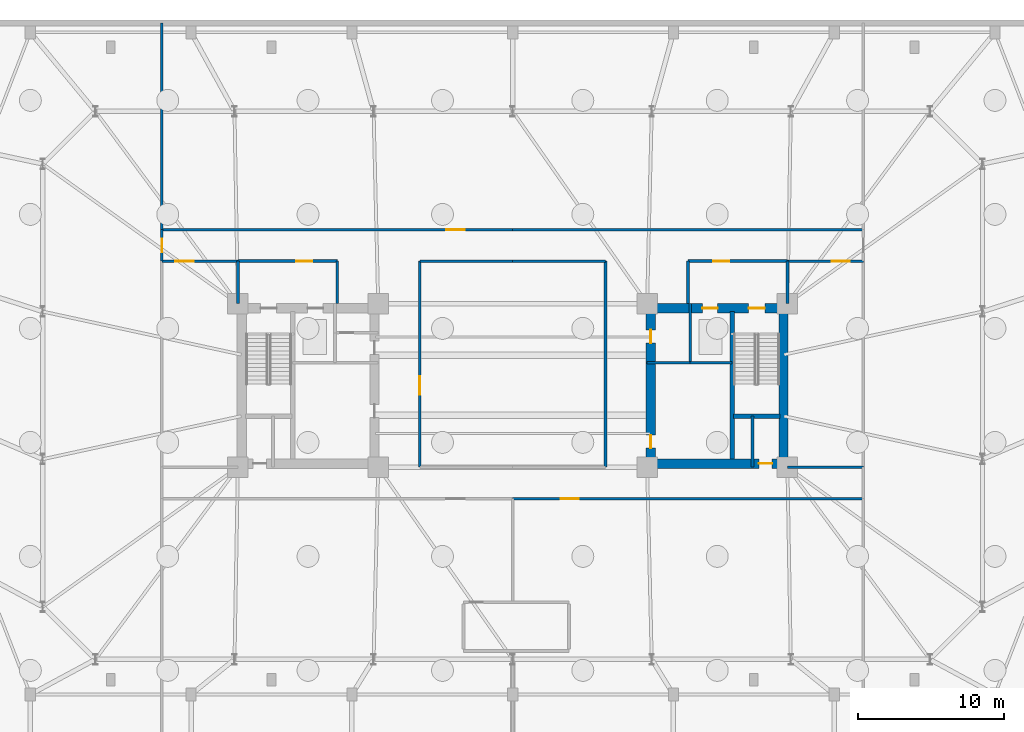
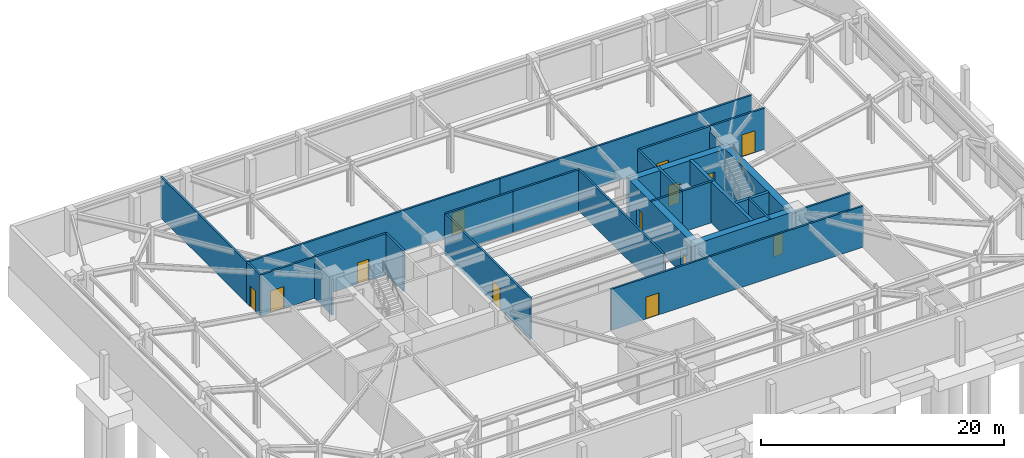
# One storey, part 10 of 15: 28 walls, 13 doors, 13 openings.
"""IFC4 building model written with IfcOpenShell, lengths in metres."""

from ifc_helpers import new_model, si_unit, direction, frame, frame_2d, origin, place, context, subcontext, project, spatial, rectangle, extrude, material, layer, layer_set, type_object, element, fill, save


model = new_model("IFC4")

# Units and contexts
model_context = context("Model", 3, precision=1e-05, world=origin(), true_north=direction((0.0, 1.0)))
body_context = subcontext(model_context, "Body", "Model", "MODEL_VIEW")
ifc_project = project(units=[si_unit("LENGTHUNIT", "METRE"), si_unit("AREAUNIT", "SQUARE_METRE"), si_unit("VOLUMEUNIT", "CUBIC_METRE"), si_unit("PLANEANGLEUNIT", "RADIAN"), si_unit("MASSUNIT", "GRAM", prefix="KILO")], contexts=[model_context])

# Site, building, storey
site_placement = place(None, origin())
site = spatial("IfcSite", under=ifc_project, at=site_placement, CompositionType="ELEMENT")
building_placement = place(site_placement, origin())
building = spatial("IfcBuilding", under=site, at=building_placement, Name="Qobustan Lattice House", CompositionType="ELEMENT")
storey_placement = place(building_placement, frame((0.0, 0.0, -9.0)))
storey = spatial("IfcBuildingStorey", under=building, at=storey_placement, Name="B02", CompositionType="ELEMENT", Elevation=-9.0)

# Wall, openings, doors
ifc_material_1 = material(Name="Concrete C60/75", Category="concrete")
ifc_layer_1 = layer(ifc_material_1, 0.639892578125)
ifc_layer_set_1 = layer_set([ifc_layer_1], Name="Concrete C60/75")
wall_type_1 = type_object("IfcWallType", Name="WAL-CORE-640", PredefinedType="SHEAR", material=ifc_layer_set_1)
wall_1_placement = place(storey_placement, frame((9.199951171875, 5.280029296875, 0.0), z_axis=(0.0, 0.0, 1.0), x_axis=(1.0, 0.0, 0.0)))
wall_1 = element("IfcWall", 1, at=wall_1_placement, inside=storey, type_object=wall_type_1, Name="B02 split-core shear wall CE-N", PredefinedType="SHEAR", context=body_context, shape_type="SweptSolid", body=[
    extrude(rectangle(XDim=9.60009765625, YDim=0.639892578125, at=frame_2d((4.800048828125, 0.0))), origin(), (0.0, 0.0, 1.0), 4.139892578125),
])
opening_1_placement = place(wall_1_placement, frame((6.949951171875, 0.0, 0.0)))
opening_1 = element("IfcOpeningElement", 2, at=opening_1_placement, cuts=wall_1, Name="Opening SD-01", PredefinedType="OPENING", context=body_context, shape_type="SweptSolid", body=[
    extrude(rectangle(XDim=1.10009765625, YDim=2.14990234375, at=frame_2d((0.550048828125, 1.074951171875))), frame((0.0, 0.329833984375, 0.0), z_axis=(0.0, -1.0, 0.0), x_axis=(1.0, 0.0, 0.0)), (0.0, 0.0, 1.0), 0.659912109375),
])
opening_2_placement = place(wall_1_placement, frame((3.77490234375, 0.0, 0.0)))
opening_2 = element("IfcOpeningElement", 3, at=opening_2_placement, cuts=wall_1, Name="Opening LD-01", PredefinedType="OPENING", context=body_context, shape_type="SweptSolid", body=[
    extrude(rectangle(XDim=1.050048828125, YDim=2.10009765625, at=frame_2d((0.52490234375, 1.050048828125))), frame((0.0, 0.329833984375, 0.0), z_axis=(0.0, -1.0, 0.0), x_axis=(1.0, 0.0, 0.0)), (0.0, 0.0, 1.0), 0.659912109375),
])
ifc_material_2 = material(Name="Persian walnut timber and steel frame door", Category="steel")
door_type_1 = type_object("IfcDoorType", Name="DOR-LIFT-LD-1050x2100", OperationType="NOTDEFINED", PredefinedType="DOOR", material=ifc_material_2)
door_1_placement = place(opening_2_placement, origin())
door_1 = element("IfcDoor", 4, at=door_1_placement, inside=storey, type_object=door_type_1, Name="B02 firefighting lift FF-E landing door", OperationType="DOUBLE_DOOR_SLIDING", OverallHeight=2.10009765625, OverallWidth=1.050048828125, PredefinedType="DOOR", context=body_context, shape_type="SweptSolid", body=[
    extrude(rectangle(XDim=1.050048828125, YDim=2.10009765625, at=frame_2d((0.52490234375, 1.050048828125))), frame((0.0, 0.02490234375, 0.0), z_axis=(0.0, -1.0, 0.0), x_axis=(1.0, 0.0, 0.0)), (0.0, 0.0, 1.0), 0.050048828125),
])
fill(opening_2, door_1)
ifc_material_3 = material(Name="Persian walnut timber and steel frame door", Category="steel")
door_type_2 = type_object("IfcDoorType", Name="DOR-STAIR-FD-1100x2150", OperationType="NOTDEFINED", PredefinedType="DOOR", material=ifc_material_3)
door_2_placement = place(opening_1_placement, origin())
door_2 = element("IfcDoor", 5, at=door_2_placement, inside=storey, type_object=door_type_2, Name="B02 exit stair ST-E1 fire door", OperationType="SINGLE_SWING_LEFT", OverallHeight=2.14990234375, OverallWidth=1.10009765625, PredefinedType="DOOR", context=body_context, shape_type="SweptSolid", body=[
    extrude(rectangle(XDim=1.10009765625, YDim=2.14990234375, at=frame_2d((0.550048828125, 1.074951171875))), frame((0.0, 0.02490234375, 0.0), z_axis=(0.0, -1.0, 0.0), x_axis=(1.0, 0.0, 0.0)), (0.0, 0.0, 1.0), 0.050048828125),
])
fill(opening_1, door_2)

# Wall, opening, door
wall_2_placement = place(storey_placement, frame((9.199951171875, -5.35009765625, 0.0), z_axis=(0.0, 0.0, 1.0), x_axis=(1.0, 0.0, 0.0)))
wall_2 = element("IfcWall", 6, at=wall_2_placement, inside=storey, type_object=wall_type_1, Name="B02 split-core shear wall CE-S", PredefinedType="SHEAR", context=body_context, shape_type="SweptSolid", body=[
    extrude(rectangle(XDim=9.60009765625, YDim=0.639892578125, at=frame_2d((4.800048828125, 0.0))), origin(), (0.0, 0.0, 1.0), 4.139892578125),
])
opening_3_placement = place(wall_2_placement, frame((7.64990234375, 0.0, 0.0)))
opening_3 = element("IfcOpeningElement", 7, at=opening_3_placement, cuts=wall_2, Name="Opening RD-01", PredefinedType="OPENING", context=body_context, shape_type="SweptSolid", body=[
    extrude(rectangle(XDim=0.89990234375, YDim=2.10009765625, at=frame_2d((0.449951171875, 1.050048828125))), frame((0.0, 0.329833984375, 0.0), z_axis=(0.0, -1.0, 0.0), x_axis=(1.0, 0.0, 0.0)), (0.0, 0.0, 1.0), 0.659912109375),
])
ifc_material_4 = material(Name="Persian walnut timber and steel frame door", Category="steel")
door_type_3 = type_object("IfcDoorType", Name="DOR-RISER-FD-900x2100", OperationType="NOTDEFINED", PredefinedType="DOOR", material=ifc_material_4)
door_3_placement = place(opening_3_placement, origin())
door_3 = element("IfcDoor", 8, at=door_3_placement, inside=storey, type_object=door_type_3, Name="B02 core service riser access door E", OperationType="SINGLE_SWING_LEFT", OverallHeight=2.10009765625, OverallWidth=0.89990234375, PredefinedType="DOOR", context=body_context, shape_type="SweptSolid", body=[
    extrude(rectangle(XDim=0.89990234375, YDim=2.10009765625, at=frame_2d((0.449951171875, 1.050048828125))), frame((0.0, 0.02490234375, 0.0), z_axis=(0.0, -1.0, 0.0), x_axis=(1.0, 0.0, 0.0)), (0.0, 0.0, 1.0), 0.050048828125),
])
fill(opening_3, door_3)

# Wall, openings, doors
wall_3_placement = place(storey_placement, frame((9.449951171875, -5.050048828125, 0.0), z_axis=(0.0, 0.0, 1.0), x_axis=(0.0, 1.0, 0.0)))
wall_3 = element("IfcWall", 9, at=wall_3_placement, inside=storey, type_object=wall_type_1, Name="B02 split-core shear wall CE-W", PredefinedType="SHEAR", context=body_context, shape_type="SweptSolid", body=[
    extrude(rectangle(XDim=10.10009765625, YDim=0.639892578125, at=frame_2d((5.050048828125, 0.0))), origin(), (0.0, 0.0, 1.0), 4.139892578125),
])
opening_4_placement = place(wall_3_placement, frame((7.949951171875, 0.0, 0.0)))
opening_4 = element("IfcOpeningElement", 10, at=opening_4_placement, cuts=wall_3, Name="Opening RD-01", PredefinedType="OPENING", context=body_context, shape_type="SweptSolid", body=[
    extrude(rectangle(XDim=0.89990234375, YDim=2.10009765625, at=frame_2d((0.449951171875, 1.050048828125))), frame((0.0, 0.329833984375, 0.0), z_axis=(0.0, -1.0, 0.0), x_axis=(1.0, 0.0, 0.0)), (0.0, 0.0, 1.0), 0.659912109375),
])
opening_5_placement = place(wall_3_placement, frame((0.75, 0.0, 0.0)))
opening_5 = element("IfcOpeningElement", 11, at=opening_5_placement, cuts=wall_3, Name="Opening RD-01", PredefinedType="OPENING", context=body_context, shape_type="SweptSolid", body=[
    extrude(rectangle(XDim=0.89990234375, YDim=2.10009765625, at=frame_2d((0.449951171875, 1.050048828125))), frame((0.0, 0.329833984375, 0.0), z_axis=(0.0, -1.0, 0.0), x_axis=(1.0, 0.0, 0.0)), (0.0, 0.0, 1.0), 0.659912109375),
])
door_4_placement = place(opening_4_placement, origin())
door_4 = element("IfcDoor", 12, at=door_4_placement, inside=storey, type_object=door_type_3, Name="B02 Housekeeping linen store fire door", OperationType="SINGLE_SWING_RIGHT", OverallHeight=2.10009765625, OverallWidth=0.89990234375, PredefinedType="DOOR", context=body_context, shape_type="SweptSolid", body=[
    extrude(rectangle(XDim=0.89990234375, YDim=2.10009765625, at=frame_2d((0.449951171875, 1.050048828125))), frame((0.0, 0.02490234375, 0.0), z_axis=(0.0, -1.0, 0.0), x_axis=(1.0, 0.0, 0.0)), (0.0, 0.0, 1.0), 0.050048828125),
])
fill(opening_4, door_4)
door_5_placement = place(opening_5_placement, origin())
door_5 = element("IfcDoor", 13, at=door_5_placement, inside=storey, type_object=door_type_3, Name="B02 Substructure sump plant room fire door", OperationType="SINGLE_SWING_LEFT", OverallHeight=2.10009765625, OverallWidth=0.89990234375, PredefinedType="DOOR", context=body_context, shape_type="SweptSolid", body=[
    extrude(rectangle(XDim=0.89990234375, YDim=2.10009765625, at=frame_2d((0.449951171875, 1.050048828125))), frame((0.0, 0.02490234375, 0.0), z_axis=(0.0, -1.0, 0.0), x_axis=(1.0, 0.0, 0.0)), (0.0, 0.0, 1.0), 0.050048828125),
])
fill(opening_5, door_5)

# Walls
wall_4_placement = place(storey_placement, frame((18.530029296875, -5.050048828125, 0.0), z_axis=(0.0, 0.0, 1.0), x_axis=(0.0, 1.0, 0.0)))
element("IfcWall", 14, at=wall_4_placement, inside=storey, type_object=wall_type_1, Name="B02 split-core shear wall CE-E", PredefinedType="SHEAR", context=body_context, shape_type="SweptSolid", body=[
    extrude(rectangle(XDim=10.10009765625, YDim=0.639892578125, at=frame_2d((5.050048828125, 0.0))), origin(), (0.0, 0.0, 1.0), 4.139892578125),
])
ifc_material_5 = material(Name="Concrete C50/60", Category="concrete")
ifc_layer_2 = layer(ifc_material_5, 0.280029296875)
ifc_layer_set_2 = layer_set([ifc_layer_2], Name="Concrete C50/60")
wall_type_2 = type_object("IfcWallType", Name="WAL-CORE-SPINE-280", PredefinedType="SHEAR", material=ifc_layer_set_2)
wall_5_placement = place(storey_placement, frame((15.02001953125, -5.050048828125, 0.0), z_axis=(0.0, 0.0, 1.0), x_axis=(0.0, 1.0, 0.0)))
element("IfcWall", 15, at=wall_5_placement, inside=storey, type_object=wall_type_2, Name="B02 split-core shear wall CE-M", PredefinedType="SHEAR", context=body_context, shape_type="SweptSolid", body=[
    extrude(rectangle(XDim=10.10009765625, YDim=0.300048828125, at=frame_2d((5.050048828125, 0.0))), origin(), (0.0, 0.0, 1.0), 4.139892578125),
])
wall_6_placement = place(storey_placement, frame((15.10009765625, -2.110107421875, 0.0), z_axis=(0.0, 0.0, 1.0), x_axis=(1.0, 0.0, 0.0)))
element("IfcWall", 16, at=wall_6_placement, inside=storey, type_object=wall_type_2, Name="B02 split-core shear wall CE-ST", PredefinedType="SHEAR", context=body_context, shape_type="SweptSolid", body=[
    extrude(rectangle(XDim=3.179931640625, YDim=0.300048828125, at=frame_2d((1.58984375, 0.0))), origin(), (0.0, 0.0, 1.0), 4.139892578125),
])
ifc_material_6 = material(Name="Gypsum fireboard acoustic partition", Category="gypsum")
ifc_layer_3 = layer(ifc_material_6, 0.179931640625)
ifc_layer_set_3 = layer_set([ifc_layer_3], Name="Gypsum fireboard acoustic partition")
wall_type_3 = type_object("IfcWallType", Name="WAL-FIRE-180", PredefinedType="PARTITIONING", material=ifc_layer_set_3)
wall_7_placement = place(storey_placement, frame((9.199951171875, 1.550048828125, 0.0), z_axis=(0.0, 0.0, 1.0), x_axis=(1.0, 0.0, 0.0)))
element("IfcWall", 17, at=wall_7_placement, inside=storey, type_object=wall_type_3, Name="B02 interior partition 16", PredefinedType="PARTITIONING", context=body_context, shape_type="SweptSolid", body=[
    extrude(rectangle(XDim=2.949951171875, YDim=0.179931640625, at=frame_2d((1.47509765625, 0.0))), origin(), (0.0, 0.0, 1.0), 4.139892578125),
])

# Wall, opening, door
wall_8_placement = place(storey_placement, frame((-24.0, 8.5, 0.0), z_axis=(0.0, 0.0, 1.0), x_axis=(0.0, 1.0, 0.0)))
wall_8 = element("IfcWall", 18, at=wall_8_placement, inside=storey, type_object=wall_type_3, Name="B02 interior partition 19", PredefinedType="PARTITIONING", context=body_context, shape_type="SweptSolid", body=[
    extrude(rectangle(XDim=2.14990234375, YDim=0.179931640625, at=frame_2d((1.074951171875, 0.0))), origin(), (0.0, 0.0, 1.0), 4.139892578125),
])
opening_6_placement = place(wall_8_placement, frame((0.625, 0.0, 0.0)))
opening_6 = element("IfcOpeningElement", 19, at=opening_6_placement, cuts=wall_8, Name="Opening RD-01", PredefinedType="OPENING", context=body_context, shape_type="SweptSolid", body=[
    extrude(rectangle(XDim=0.89990234375, YDim=2.10009765625, at=frame_2d((0.449951171875, 1.050048828125))), frame((0.0, 0.099853515625, 0.0), z_axis=(0.0, -1.0, 0.0), x_axis=(1.0, 0.0, 0.0)), (0.0, 0.0, 1.0), 0.199951171875),
])
door_6_placement = place(opening_6_placement, origin())
door_6 = element("IfcDoor", 20, at=door_6_placement, inside=storey, type_object=door_type_3, Name="B02 North-west substructure corridor to District cooling chiller plant door", OperationType="SINGLE_SWING_RIGHT", OverallHeight=2.10009765625, OverallWidth=0.89990234375, PredefinedType="DOOR", context=body_context, shape_type="SweptSolid", body=[
    extrude(rectangle(XDim=0.89990234375, YDim=2.10009765625, at=frame_2d((0.449951171875, 1.050048828125))), frame((0.0, 0.02490234375, 0.0), z_axis=(0.0, -1.0, 0.0), x_axis=(1.0, 0.0, 0.0)), (0.0, 0.0, 1.0), 0.050048828125),
])
fill(opening_6, door_6)

wall_9_placement = place(storey_placement, frame((-24.0, 10.64990234375, 0.0), z_axis=(0.0, 0.0, 1.0), x_axis=(1.0, 0.0, 0.0)))
wall_9 = element("IfcWall", 21, at=wall_9_placement, inside=storey, type_object=wall_type_3, Name="B02 interior partition 20", PredefinedType="PARTITIONING", context=body_context, shape_type="SweptSolid", body=[
    extrude(rectangle(XDim=24.0, YDim=0.179931640625, at=frame_2d((12.0, 0.0))), origin(), (0.0, 0.0, 1.0), 4.139892578125),
])
opening_7_placement = place(wall_9_placement, frame((19.47119140625, 0.0, 0.0)))
opening_7 = element("IfcOpeningElement", 22, at=opening_7_placement, cuts=wall_9, Name="Opening FD-03", PredefinedType="OPENING", context=body_context, shape_type="SweptSolid", body=[
    extrude(rectangle(XDim=1.25, YDim=2.199951171875, at=frame_2d((0.625, 1.10009765625))), frame((0.0, 0.099853515625, 0.0), z_axis=(0.0, -1.0, 0.0), x_axis=(1.0, 0.0, 0.0)), (0.0, 0.0, 1.0), 0.199951171875),
])
ifc_material_7 = material(Name="Persian walnut timber and steel frame door", Category="steel")
door_type_4 = type_object("IfcDoorType", Name="DOR-PLANT-1250x2200", OperationType="NOTDEFINED", PredefinedType="DOOR", material=ifc_material_7)
door_7_placement = place(opening_7_placement, origin())
door_7 = element("IfcDoor", 23, at=door_7_placement, inside=storey, type_object=door_type_4, Name="B02 North-west substructure corridor to Domestic and fire water cistern tank room door", OperationType="SINGLE_SWING_LEFT", OverallHeight=2.199951171875, OverallWidth=1.25, PredefinedType="DOOR", context=body_context, shape_type="SweptSolid", body=[
    extrude(rectangle(XDim=1.25, YDim=2.199951171875, at=frame_2d((0.625, 1.10009765625))), frame((0.0, 0.02490234375, 0.0), z_axis=(0.0, -1.0, 0.0), x_axis=(1.0, 0.0, 0.0)), (0.0, 0.0, 1.0), 0.050048828125),
])
fill(opening_7, door_7)

wall_10_placement = place(storey_placement, frame((-18.800048828125, 8.5, 0.0), z_axis=(0.0, 0.0, 1.0), x_axis=(-1.0, 0.0, 0.0)))
wall_10 = element("IfcWall", 24, at=wall_10_placement, inside=storey, type_object=wall_type_3, Name="B02 interior partition 21", PredefinedType="PARTITIONING", context=body_context, shape_type="SweptSolid", body=[
    extrude(rectangle(XDim=5.199951171875, YDim=0.179931640625, at=frame_2d((2.60009765625, 0.0))), origin(), (0.0, 0.0, 1.0), 4.139892578125),
])
opening_8_placement = place(wall_10_placement, frame((3.021240234375, 0.0, 0.0)))
opening_8 = element("IfcOpeningElement", 25, at=opening_8_placement, cuts=wall_10, Name="Opening FD-03", PredefinedType="OPENING", context=body_context, shape_type="SweptSolid", body=[
    extrude(rectangle(XDim=1.25, YDim=2.199951171875, at=frame_2d((0.625, 1.10009765625))), frame((0.0, 0.099853515625, 0.0), z_axis=(0.0, -1.0, 0.0), x_axis=(1.0, 0.0, 0.0)), (0.0, 0.0, 1.0), 0.199951171875),
])
door_8_placement = place(opening_8_placement, origin())
door_8 = element("IfcDoor", 26, at=door_8_placement, inside=storey, type_object=door_type_4, Name="B02 North-west substructure corridor to West geothermal heat exchanger plant door", OperationType="SINGLE_SWING_RIGHT", OverallHeight=2.199951171875, OverallWidth=1.25, PredefinedType="DOOR", context=body_context, shape_type="SweptSolid", body=[
    extrude(rectangle(XDim=1.25, YDim=2.199951171875, at=frame_2d((0.625, 1.10009765625))), frame((0.0, 0.02490234375, 0.0), z_axis=(0.0, -1.0, 0.0), x_axis=(1.0, 0.0, 0.0)), (0.0, 0.0, 1.0), 0.050048828125),
])
fill(opening_8, door_8)

# Walls
wall_11_placement = place(storey_placement, frame((0.0, 8.5, 0.0), z_axis=(0.0, 0.0, 1.0), x_axis=(-1.0, 0.0, 0.0)))
element("IfcWall", 27, at=wall_11_placement, inside=storey, type_object=wall_type_3, Name="B02 interior partition 22", PredefinedType="PARTITIONING", context=body_context, shape_type="SweptSolid", body=[
    extrude(rectangle(XDim=6.35009765625, YDim=0.179931640625, at=frame_2d((3.175048828125, 0.0))), origin(), (0.0, 0.0, 1.0), 4.139892578125),
])
wall_12_placement = place(storey_placement, frame((0.0, 10.64990234375, 0.0), z_axis=(0.0, 0.0, 1.0), x_axis=(1.0, 0.0, 0.0)))
element("IfcWall", 28, at=wall_12_placement, inside=storey, type_object=wall_type_3, Name="B02 interior partition 23", PredefinedType="PARTITIONING", context=body_context, shape_type="SweptSolid", body=[
    extrude(rectangle(XDim=24.0, YDim=0.179931640625, at=frame_2d((12.0, 0.0))), origin(), (0.0, 0.0, 1.0), 4.139892578125),
])

# Wall, opening, door
wall_13_placement = place(storey_placement, frame((24.0, 8.5, 0.0), z_axis=(0.0, 0.0, 1.0), x_axis=(-1.0, 0.0, 0.0)))
wall_13 = element("IfcWall", 29, at=wall_13_placement, inside=storey, type_object=wall_type_3, Name="B02 interior partition 24", PredefinedType="PARTITIONING", context=body_context, shape_type="SweptSolid", body=[
    extrude(rectangle(XDim=5.199951171875, YDim=0.179931640625, at=frame_2d((2.60009765625, 0.0))), origin(), (0.0, 0.0, 1.0), 4.139892578125),
])
opening_9_placement = place(wall_13_placement, frame((0.9287109375, 0.0, 0.0)))
opening_9 = element("IfcOpeningElement", 30, at=opening_9_placement, cuts=wall_13, Name="Opening FD-03", PredefinedType="OPENING", context=body_context, shape_type="SweptSolid", body=[
    extrude(rectangle(XDim=1.25, YDim=2.199951171875, at=frame_2d((0.625, 1.10009765625))), frame((0.0, 0.099853515625, 0.0), z_axis=(0.0, -1.0, 0.0), x_axis=(1.0, 0.0, 0.0)), (0.0, 0.0, 1.0), 0.199951171875),
])
door_9_placement = place(opening_9_placement, origin())
door_9 = element("IfcDoor", 31, at=door_9_placement, inside=storey, type_object=door_type_4, Name="B02 North-east substructure corridor to East compressed air mechanical plant door", OperationType="SINGLE_SWING_LEFT", OverallHeight=2.199951171875, OverallWidth=1.25, PredefinedType="DOOR", context=body_context, shape_type="SweptSolid", body=[
    extrude(rectangle(XDim=1.25, YDim=2.199951171875, at=frame_2d((0.625, 1.10009765625))), frame((0.0, 0.02490234375, 0.0), z_axis=(0.0, -1.0, 0.0), x_axis=(1.0, 0.0, 0.0)), (0.0, 0.0, 1.0), 0.050048828125),
])
fill(opening_9, door_9)

# Wall
wall_14_placement = place(storey_placement, frame((6.35009765625, 8.5, 0.0), z_axis=(0.0, 0.0, 1.0), x_axis=(-1.0, 0.0, 0.0)))
element("IfcWall", 32, at=wall_14_placement, inside=storey, type_object=wall_type_3, Name="B02 interior partition 25", PredefinedType="PARTITIONING", context=body_context, shape_type="SweptSolid", body=[
    extrude(rectangle(XDim=6.35009765625, YDim=0.179931640625, at=frame_2d((3.175048828125, 0.0))), origin(), (0.0, 0.0, 1.0), 4.139892578125),
])

# Wall, opening, door
wall_15_placement = place(storey_placement, frame((24.0, -7.75, 0.0), z_axis=(0.0, 0.0, 1.0), x_axis=(-1.0, 0.0, 0.0)))
wall_15 = element("IfcWall", 33, at=wall_15_placement, inside=storey, type_object=wall_type_3, Name="B02 interior partition 31", PredefinedType="PARTITIONING", context=body_context, shape_type="SweptSolid", body=[
    extrude(rectangle(XDim=24.0, YDim=0.179931640625, at=frame_2d((12.0, 0.0))), origin(), (0.0, 0.0, 1.0), 4.139892578125),
])
opening_10_placement = place(wall_15_placement, frame((19.47119140625, 0.0, 0.0)))
opening_10 = element("IfcOpeningElement", 34, at=opening_10_placement, cuts=wall_15, Name="Opening FD-03", PredefinedType="OPENING", context=body_context, shape_type="SweptSolid", body=[
    extrude(rectangle(XDim=1.25, YDim=2.199951171875, at=frame_2d((0.625, 1.10009765625))), frame((0.0, 0.099853515625, 0.0), z_axis=(0.0, -1.0, 0.0), x_axis=(1.0, 0.0, 0.0)), (0.0, 0.0, 1.0), 0.199951171875),
])
door_10_placement = place(opening_10_placement, origin())
door_10 = element("IfcDoor", 35, at=door_10_placement, inside=storey, type_object=door_type_4, Name="B02 South-east substructure corridor to Fire pump and foam suppression plant door", OperationType="SINGLE_SWING_RIGHT", OverallHeight=2.199951171875, OverallWidth=1.25, PredefinedType="DOOR", context=body_context, shape_type="SweptSolid", body=[
    extrude(rectangle(XDim=1.25, YDim=2.199951171875, at=frame_2d((0.625, 1.10009765625))), frame((0.0, 0.02490234375, 0.0), z_axis=(0.0, -1.0, 0.0), x_axis=(1.0, 0.0, 0.0)), (0.0, 0.0, 1.0), 0.050048828125),
])
fill(opening_10, door_10)

# Wall
wall_16_placement = place(storey_placement, frame((18.800048828125, -5.60009765625, 0.0), z_axis=(0.0, 0.0, 1.0), x_axis=(1.0, 0.0, 0.0)))
element("IfcWall", 36, at=wall_16_placement, inside=storey, type_object=wall_type_3, Name="B02 interior partition 32", PredefinedType="PARTITIONING", context=body_context, shape_type="SweptSolid", body=[
    extrude(rectangle(XDim=5.199951171875, YDim=0.179931640625, at=frame_2d((2.60009765625, 0.0))), origin(), (0.0, 0.0, 1.0), 4.139892578125),
])

# Wall, opening, door
wall_17_placement = place(storey_placement, frame((-6.35009765625, 8.5, 0.0), z_axis=(0.0, 0.0, 1.0), x_axis=(0.0, -1.0, 0.0)))
wall_17 = element("IfcWall", 37, at=wall_17_placement, inside=storey, type_object=wall_type_3, Name="B02 interior partition 35", PredefinedType="PARTITIONING", context=body_context, shape_type="SweptSolid", body=[
    extrude(rectangle(XDim=14.10009765625, YDim=0.179931640625, at=frame_2d((7.050048828125, 0.0))), origin(), (0.0, 0.0, 1.0), 4.139892578125),
])
opening_11_placement = place(wall_17_placement, frame((7.88623046875, 0.0, 0.0)))
opening_11 = element("IfcOpeningElement", 38, at=opening_11_placement, cuts=wall_17, Name="Opening FD-03", PredefinedType="OPENING", context=body_context, shape_type="SweptSolid", body=[
    extrude(rectangle(XDim=1.25, YDim=2.199951171875, at=frame_2d((0.625, 1.10009765625))), frame((0.0, 0.099853515625, 0.0), z_axis=(0.0, -1.0, 0.0), x_axis=(1.0, 0.0, 0.0)), (0.0, 0.0, 1.0), 0.199951171875),
])
door_11_placement = place(opening_11_placement, origin())
door_11 = element("IfcDoor", 39, at=door_11_placement, inside=storey, type_object=door_type_4, Name="B02 West substructure link corridor to Primary HV switchgear and transformer plant door", OperationType="SINGLE_SWING_LEFT", OverallHeight=2.199951171875, OverallWidth=1.25, PredefinedType="DOOR", context=body_context, shape_type="SweptSolid", body=[
    extrude(rectangle(XDim=1.25, YDim=2.199951171875, at=frame_2d((0.625, 1.10009765625))), frame((0.0, 0.02490234375, 0.0), z_axis=(0.0, -1.0, 0.0), x_axis=(1.0, 0.0, 0.0)), (0.0, 0.0, 1.0), 0.050048828125),
])
fill(opening_11, door_11)

# Walls
wall_18_placement = place(storey_placement, frame((6.35009765625, -5.60009765625, 0.0), z_axis=(0.0, 0.0, 1.0), x_axis=(0.0, 1.0, 0.0)))
element("IfcWall", 40, at=wall_18_placement, inside=storey, type_object=wall_type_3, Name="B02 interior partition 36", PredefinedType="PARTITIONING", context=body_context, shape_type="SweptSolid", body=[
    extrude(rectangle(XDim=14.10009765625, YDim=0.179931640625, at=frame_2d((7.050048828125, 0.0))), origin(), (0.0, 0.0, 1.0), 4.139892578125),
])
wall_19_placement = place(storey_placement, frame((-24.0, 24.800048828125, 0.0), z_axis=(0.0, 0.0, 1.0), x_axis=(0.0, -1.0, 0.0)))
element("IfcWall", 41, at=wall_19_placement, inside=storey, type_object=wall_type_3, Name="B02 interior partition 37", PredefinedType="PARTITIONING", context=body_context, shape_type="SweptSolid", body=[
    extrude(rectangle(XDim=14.150146484375, YDim=0.179931640625, at=frame_2d((7.0751953125, 0.0))), origin(), (0.0, 0.0, 1.0), 4.139892578125),
])

# Wall, opening, door
ifc_material_8 = material(Name="Two-hour gypsum fireboard acoustic partition", Category="gypsum")
ifc_layer_4 = layer(ifc_material_8, 0.199951171875)
ifc_layer_set_4 = layer_set([ifc_layer_4], Name="Two-hour gypsum fireboard acoustic partition")
wall_type_4 = type_object("IfcWallType", Name="WAL-PROT-200", PredefinedType="PARTITIONING", material=ifc_layer_set_4)
wall_20_placement = place(storey_placement, frame((-12.0, 8.5, 0.0), z_axis=(0.0, 0.0, 1.0), x_axis=(-1.0, 0.0, 0.0)))
wall_20 = element("IfcWall", 42, at=wall_20_placement, inside=storey, type_object=wall_type_4, Name="B02 interior partition 4", PredefinedType="PARTITIONING", context=body_context, shape_type="SweptSolid", body=[
    extrude(rectangle(XDim=6.800048828125, YDim=0.199951171875, at=frame_2d((3.39990234375, 0.0))), origin(), (0.0, 0.0, 1.0), 4.139892578125),
])
opening_12_placement = place(wall_20_placement, frame((1.715087890625, 0.0, 0.0)))
opening_12 = element("IfcOpeningElement", 43, at=opening_12_placement, cuts=wall_20, Name="Opening SD-01", PredefinedType="OPENING", context=body_context, shape_type="SweptSolid", body=[
    extrude(rectangle(XDim=1.10009765625, YDim=2.14990234375, at=frame_2d((0.550048828125, 1.074951171875))), frame((0.0, 0.10986328125, 0.0), z_axis=(0.0, -1.0, 0.0), x_axis=(1.0, 0.0, 0.0)), (0.0, 0.0, 1.0), 0.219970703125),
])
door_12_placement = place(opening_12_placement, origin())
door_12 = element("IfcDoor", 44, at=door_12_placement, inside=storey, type_object=door_type_2, Name="B02 West firefighting lift lobby to North-west substructure corridor door", OperationType="SINGLE_SWING_LEFT", OverallHeight=2.14990234375, OverallWidth=1.10009765625, PredefinedType="DOOR", context=body_context, shape_type="SweptSolid", body=[
    extrude(rectangle(XDim=1.10009765625, YDim=2.14990234375, at=frame_2d((0.550048828125, 1.074951171875))), frame((0.0, 0.02490234375, 0.0), z_axis=(0.0, -1.0, 0.0), x_axis=(1.0, 0.0, 0.0)), (0.0, 0.0, 1.0), 0.050048828125),
])
fill(opening_12, door_12)

# Walls
wall_21_placement = place(storey_placement, frame((-12.0, 5.60009765625, 0.0), z_axis=(0.0, 0.0, 1.0), x_axis=(0.0, 1.0, 0.0)))
element("IfcWall", 45, at=wall_21_placement, inside=storey, type_object=wall_type_4, Name="B02 interior partition 5", PredefinedType="PARTITIONING", context=body_context, shape_type="SweptSolid", body=[
    extrude(rectangle(XDim=2.89990234375, YDim=0.199951171875, at=frame_2d((1.449951171875, 0.0))), origin(), (0.0, 0.0, 1.0), 4.139892578125),
])
wall_22_placement = place(storey_placement, frame((-18.800048828125, 8.5, 0.0), z_axis=(0.0, 0.0, 1.0), x_axis=(0.0, -1.0, 0.0)))
element("IfcWall", 46, at=wall_22_placement, inside=storey, type_object=wall_type_4, Name="B02 interior partition 6", PredefinedType="PARTITIONING", context=body_context, shape_type="SweptSolid", body=[
    extrude(rectangle(XDim=2.89990234375, YDim=0.199951171875, at=frame_2d((1.449951171875, 0.0))), origin(), (0.0, 0.0, 1.0), 3.625),
])

# Wall, opening, door
wall_23_placement = place(storey_placement, frame((18.800048828125, 8.5, 0.0), z_axis=(0.0, 0.0, 1.0), x_axis=(-1.0, 0.0, 0.0)))
wall_23 = element("IfcWall", 47, at=wall_23_placement, inside=storey, type_object=wall_type_4, Name="B02 interior partition 13", PredefinedType="PARTITIONING", context=body_context, shape_type="SweptSolid", body=[
    extrude(rectangle(XDim=6.800048828125, YDim=0.199951171875, at=frame_2d((3.39990234375, 0.0))), origin(), (0.0, 0.0, 1.0), 4.139892578125),
])
opening_13_placement = place(wall_23_placement, frame((3.985107421875, 0.0, 0.0)))
opening_13 = element("IfcOpeningElement", 48, at=opening_13_placement, cuts=wall_23, Name="Opening SD-01", PredefinedType="OPENING", context=body_context, shape_type="SweptSolid", body=[
    extrude(rectangle(XDim=1.10009765625, YDim=2.14990234375, at=frame_2d((0.550048828125, 1.074951171875))), frame((0.0, 0.10986328125, 0.0), z_axis=(0.0, -1.0, 0.0), x_axis=(1.0, 0.0, 0.0)), (0.0, 0.0, 1.0), 0.219970703125),
])
door_13_placement = place(opening_13_placement, origin())
door_13 = element("IfcDoor", 49, at=door_13_placement, inside=storey, type_object=door_type_2, Name="B02 East firefighting lift lobby to North-east substructure corridor door", OperationType="SINGLE_SWING_LEFT", OverallHeight=2.14990234375, OverallWidth=1.10009765625, PredefinedType="DOOR", context=body_context, shape_type="SweptSolid", body=[
    extrude(rectangle(XDim=1.10009765625, YDim=2.14990234375, at=frame_2d((0.550048828125, 1.074951171875))), frame((0.0, 0.02490234375, 0.0), z_axis=(0.0, -1.0, 0.0), x_axis=(1.0, 0.0, 0.0)), (0.0, 0.0, 1.0), 0.050048828125),
])
fill(opening_13, door_13)

# Walls
wall_24_placement = place(storey_placement, frame((12.0, 8.5, 0.0), z_axis=(0.0, 0.0, 1.0), x_axis=(0.0, -1.0, 0.0)))
element("IfcWall", 50, at=wall_24_placement, inside=storey, type_object=wall_type_4, Name="B02 interior partition 14", PredefinedType="PARTITIONING", context=body_context, shape_type="SweptSolid", body=[
    extrude(rectangle(XDim=2.89990234375, YDim=0.199951171875, at=frame_2d((1.449951171875, 0.0))), origin(), (0.0, 0.0, 1.0), 4.139892578125),
])
wall_25_placement = place(storey_placement, frame((18.800048828125, 5.60009765625, 0.0), z_axis=(0.0, 0.0, 1.0), x_axis=(0.0, 1.0, 0.0)))
element("IfcWall", 51, at=wall_25_placement, inside=storey, type_object=wall_type_4, Name="B02 interior partition 15", PredefinedType="PARTITIONING", context=body_context, shape_type="SweptSolid", body=[
    extrude(rectangle(XDim=2.89990234375, YDim=0.199951171875, at=frame_2d((1.449951171875, 0.0))), origin(), (0.0, 0.0, 1.0), 3.625),
])
ifc_material_9 = material(Name="Concrete C40/50", Category="concrete")
ifc_layer_5 = layer(ifc_material_9, 0.199951171875)
ifc_layer_set_5 = layer_set([ifc_layer_5], Name="Concrete C40/50")
wall_type_5 = type_object("IfcWallType", Name="WAL-SHAFT-200", PredefinedType="PARTITIONING", material=ifc_layer_set_5)
wall_26_placement = place(storey_placement, frame((16.39990234375, -2.110107421875, 0.0), z_axis=(0.0, 0.0, 1.0), x_axis=(0.0, -1.0, 0.0)))
element("IfcWall", 52, at=wall_26_placement, inside=storey, type_object=wall_type_5, Name="B02 interior partition 11", PredefinedType="PARTITIONING", context=body_context, shape_type="SweptSolid", body=[
    extrude(rectangle(XDim=3.489990234375, YDim=0.199951171875, at=frame_2d((1.7451171875, 0.0))), origin(), (0.0, 0.0, 1.0), 4.139892578125),
])
wall_27_placement = place(storey_placement, frame((12.14990234375, 5.60009765625, 0.0), z_axis=(0.0, 0.0, 1.0), x_axis=(0.0, -1.0, 0.0)))
element("IfcWall", 53, at=wall_27_placement, inside=storey, type_object=wall_type_5, Name="B02 interior partition 12", PredefinedType="PARTITIONING", context=body_context, shape_type="SweptSolid", body=[
    extrude(rectangle(XDim=4.050048828125, YDim=0.199951171875, at=frame_2d((2.02490234375, 0.0))), origin(), (0.0, 0.0, 1.0), 4.139892578125),
])
wall_28_placement = place(storey_placement, frame((12.14990234375, 1.550048828125, 0.0), z_axis=(0.0, 0.0, 1.0), x_axis=(1.0, 0.0, 0.0)))
element("IfcWall", 54, at=wall_28_placement, inside=storey, type_object=wall_type_5, Name="B02 interior partition 46", PredefinedType="PARTITIONING", context=body_context, shape_type="SweptSolid", body=[
    extrude(rectangle(XDim=2.8701171875, YDim=0.199951171875, at=frame_2d((1.43505859375, 0.0))), origin(), (0.0, 0.0, 1.0), 4.139892578125),
])

save(model, "model.ifc")
